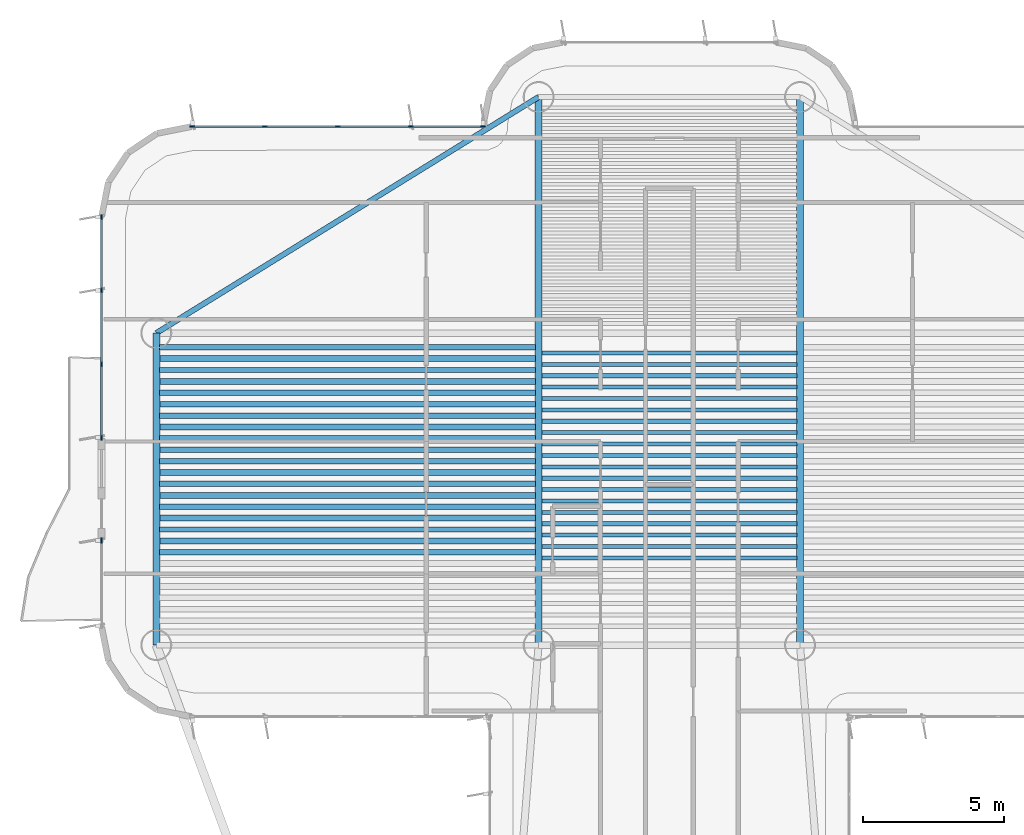
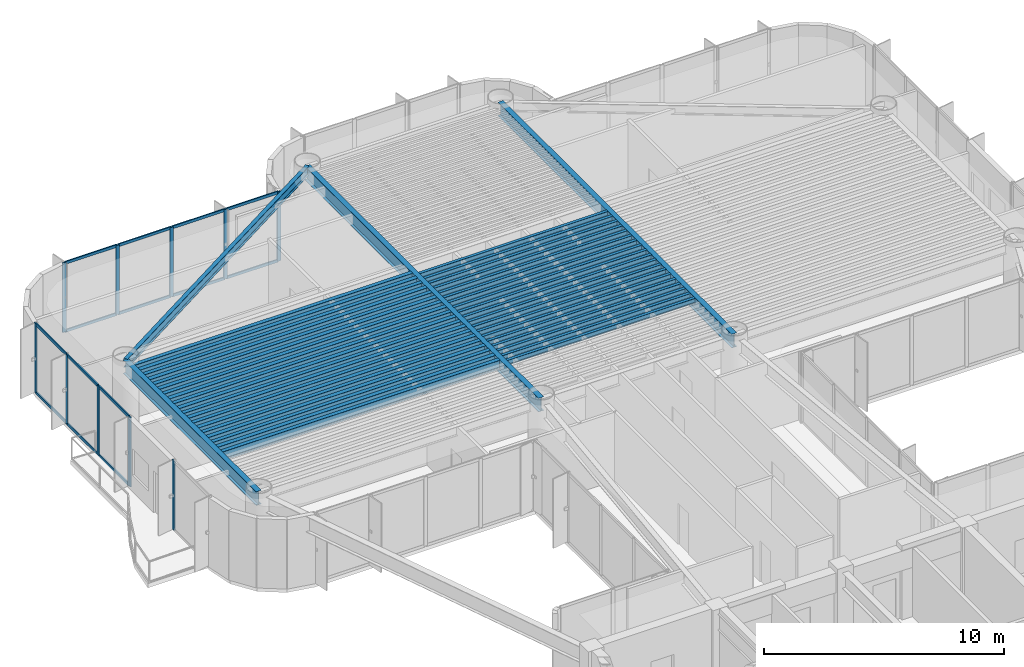
# One storey, part 5 of 14: 42 beams, 24 members, 3 elements without a shape of their own.
"""IFC4 building model written with IfcOpenShell, lengths in metres."""

from ifc_helpers import new_model, si_unit, direction, frame, origin, origin_2d, place, context, subcontext, project, spatial, rectangle, i_section, extrude, source, transform, mapped, material, layer, layer_set, material_profile, profile_set, type_object, element, aggregate, save


model = new_model("IFC4")

# Units and contexts
model_context = context("Model", 3, precision=1e-05, world=origin(), true_north=direction((0.0, 1.0)))
body_context = subcontext(model_context, "Body", "Model", "MODEL_VIEW")
ifc_project = project(units=[si_unit("LENGTHUNIT", "METRE"), si_unit("AREAUNIT", "SQUARE_METRE"), si_unit("VOLUMEUNIT", "CUBIC_METRE"), si_unit("PLANEANGLEUNIT", "RADIAN"), si_unit("MASSUNIT", "GRAM", prefix="KILO")], contexts=[model_context])

# Site, building, storey
site_placement = place(None, origin())
site = spatial("IfcSite", under=ifc_project, at=site_placement, CompositionType="ELEMENT")
building_placement = place(site_placement, origin())
building = spatial("IfcBuilding", under=site, at=building_placement, Name="Brelvock Crest Care Tower", CompositionType="ELEMENT")
storey_placement = place(building_placement, frame((0.0, 0.0, 201.780029296875)))
storey = spatial("IfcBuildingStorey", under=building, at=storey_placement, Name="L51", CompositionType="ELEMENT", Elevation=201.780029296875)

# Beams
ifc_material_1 = material(Name="Steel Grade 350", Category="steel")
ifc_material_profile_1 = material_profile(ifc_material_1, i_section(OverallWidth=0.14599609375, OverallDepth=0.256103515625, WebThickness=0.00634765625, FlangeThickness=0.010986328125, FilletRadius=0.0087890625, at=origin_2d()), Name="250UB37.3")
ifc_profile_set_1 = profile_set([ifc_material_profile_1], Name="Steel Grade 350")
beam_type_1 = type_object("IfcBeamType", Name="BM-J3", PredefinedType="JOIST", material=ifc_profile_set_1)
shared_shape_1 = source(origin(), body_context, "Body", "SweptSolid", [
    extrude(i_section(OverallWidth=0.14599609375, OverallDepth=0.256103515625, WebThickness=0.00634765625, FlangeThickness=0.010986328125, FilletRadius=0.0087890625, at=origin_2d()), origin(), (0.0, 0.0, 1.0), 9.06982421875),
])
for number, where, z_axis, x_axis, name in (
    (1, (31.465087890625, 38.0498046875, 3.40185546875), (1.0, 0.0, 0.0), (0.0, 1.0, 0.0), "BM-JH-L51-7"),
    (2, (31.465087890625, 38.454833984375, 3.40185546875), (1.0, 0.0, 0.0), (0.0, 1.0, 0.0), "BM-JH-L51-8"),
    (3, (31.465087890625, 38.860107421875, 3.40185546875), (1.0, 0.0, 0.0), (0.0, 1.0, 0.0), "BM-JH-L51-9"),
    (4, (31.465087890625, 39.26513671875, 3.40185546875), (1.0, 0.0, 0.0), (0.0, 1.0, 0.0), "BM-JH-L51-10"),
    (5, (31.465087890625, 39.67041015625, 3.40185546875), (1.0, 0.0, 0.0), (0.0, 1.0, 0.0), "BM-JH-L51-11"),
    (6, (31.465087890625, 40.075439453125, 3.40185546875), (1.0, 0.0, 0.0), (0.0, 1.0, 0.0), "BM-JH-L51-12"),
    (7, (31.465087890625, 40.480712890625, 3.40185546875), (1.0, 0.0, 0.0), (0.0, 1.0, 0.0), "BM-JH-L51-13"),
    (8, (31.465087890625, 40.8857421875, 3.40185546875), (1.0, 0.0, 0.0), (0.0, 1.0, 0.0), "BM-JH-L51-14"),
    (9, (31.465087890625, 41.291015625, 3.40185546875), (1.0, 0.0, 0.0), (0.0, 1.0, 0.0), "BM-JH-L51-15"),
    (10, (31.465087890625, 41.696044921875, 3.40185546875), (1.0, 0.0, 0.0), (0.0, 1.0, 0.0), "BM-JH-L51-16"),
    (11, (31.465087890625, 42.101318359375, 3.40185546875), (1.0, 0.0, 0.0), (0.0, 1.0, 0.0), "BM-JH-L51-17"),
    (12, (31.465087890625, 42.50634765625, 3.40185546875), (1.0, 0.0, 0.0), (0.0, 1.0, 0.0), "BM-JH-L51-18"),
    (13, (31.465087890625, 42.91162109375, 3.40185546875), (1.0, 0.0, 0.0), (0.0, 1.0, 0.0), "BM-JH-L51-19"),
    (14, (31.465087890625, 43.316650390625, 3.40185546875), (1.0, 0.0, 0.0), (0.0, 1.0, 0.0), "BM-JH-L51-20"),
    (15, (31.465087890625, 43.7216796875, 3.40185546875), (1.0, 0.0, 0.0), (0.0, 1.0, 0.0), "BM-JH-L51-21"),
    (16, (31.465087890625, 44.126953125, 3.40185546875), (1.0, 0.0, 0.0), (0.0, 1.0, 0.0), "BM-JH-L51-22"),
    (17, (31.465087890625, 44.531982421875, 3.40185546875), (1.0, 0.0, 0.0), (0.0, 1.0, 0.0), "BM-JH-L51-23"),
    (18, (31.465087890625, 44.937255859375, 3.40185546875), (1.0, 0.0, 0.0), (0.0, 1.0, 0.0), "BM-JH-L51-24"),
    (19, (31.465087890625, 45.34228515625, 3.40185546875), (1.0, 0.0, 0.0), (0.0, 1.0, 0.0), "BM-JH-L51-25"),
):
    element("IfcBeam", number, at=place(storey_placement, frame(where, z_axis=z_axis, x_axis=x_axis)), inside=storey, type_object=beam_type_1, Name=name, PredefinedType="JOIST", context=body_context, shape_type="MappedRepresentation", body=[
        mapped(shared_shape_1, transform((0.0, 0.0, 0.0), x_axis=(1.0, 0.0, 0.0), y_axis=(0.0, 1.0, 0.0), z_axis=(0.0, 0.0, 1.0), scale=1.0)),
    ])
ifc_material_profile_2 = material_profile(ifc_material_1, i_section(OverallWidth=0.208984375, OverallDepth=0.532958984375, WebThickness=0.01025390625, FlangeThickness=0.015625, FilletRadius=0.013916015625, at=origin_2d()), Name="530UB92.4")
ifc_profile_set_2 = profile_set([ifc_material_profile_2], Name="Steel Grade 350")
beam_type_2 = type_object("IfcBeamType", Name="BM-G2", PredefinedType="BEAM", material=ifc_profile_set_2)
shared_shape_2 = source(origin(), body_context, "Body", "SweptSolid", [
    extrude(i_section(OverallWidth=0.208984375, OverallDepth=0.532958984375, WebThickness=0.01025390625, FlangeThickness=0.015625, FilletRadius=0.013916015625, at=origin_2d()), origin(), (0.0, 0.0, 1.0), 13.3701171875),
])
for number, where, z_axis, x_axis, name in (
    (20, (17.864990234375, 38.657470703125, 3.263427734375), (1.0, 0.0, 0.0), (0.0, 1.0, 0.0), "BM-JW-L51-9"),
    (21, (17.864990234375, 39.4677734375, 3.263427734375), (1.0, 0.0, 0.0), (0.0, 1.0, 0.0), "BM-JW-L51-11"),
    (22, (17.864990234375, 40.278076171875, 3.263427734375), (1.0, 0.0, 0.0), (0.0, 1.0, 0.0), "BM-JW-L51-13"),
    (23, (17.864990234375, 41.08837890625, 3.263427734375), (1.0, 0.0, 0.0), (0.0, 1.0, 0.0), "BM-JW-L51-15"),
    (24, (17.864990234375, 41.898681640625, 3.263427734375), (1.0, 0.0, 0.0), (0.0, 1.0, 0.0), "BM-JW-L51-17"),
    (25, (17.864990234375, 42.708984375, 3.263427734375), (1.0, 0.0, 0.0), (0.0, 1.0, 0.0), "BM-JW-L51-19"),
    (26, (17.864990234375, 43.519287109375, 3.263427734375), (1.0, 0.0, 0.0), (0.0, 1.0, 0.0), "BM-JW-L51-21"),
    (27, (17.864990234375, 44.32958984375, 3.263427734375), (1.0, 0.0, 0.0), (0.0, 1.0, 0.0), "BM-JW-L51-23"),
    (28, (17.864990234375, 45.139892578125, 3.263427734375), (1.0, 0.0, 0.0), (0.0, 1.0, 0.0), "BM-JW-L51-25"),
):
    element("IfcBeam", number, at=place(storey_placement, frame(where, z_axis=z_axis, x_axis=x_axis)), inside=storey, type_object=beam_type_2, Name=name, PredefinedType="BEAM", context=body_context, shape_type="MappedRepresentation", body=[
        mapped(shared_shape_2, transform((0.0, 0.0, 0.0), x_axis=(1.0, 0.0, 0.0), y_axis=(0.0, 1.0, 0.0), z_axis=(0.0, 0.0, 1.0), scale=1.0)),
    ])
ifc_material_profile_3 = material_profile(ifc_material_1, i_section(OverallWidth=0.19091796875, OverallDepth=0.4599609375, WebThickness=0.010009765625, FlangeThickness=0.01611328125, FilletRadius=0.011474609375, at=origin_2d()), Name="460UB82.1")
ifc_profile_set_3 = profile_set([ifc_material_profile_3], Name="Steel Grade 350")
beam_type_3 = type_object("IfcBeamType", Name="BM-G3", PredefinedType="BEAM", material=ifc_profile_set_3)
shared_shape_3 = source(origin(), body_context, "Body", "SweptSolid", [
    extrude(i_section(OverallWidth=0.19091796875, OverallDepth=0.4599609375, WebThickness=0.010009765625, FlangeThickness=0.01611328125, FilletRadius=0.011474609375, at=origin_2d()), origin(), (0.0, 0.0, 1.0), 13.3701171875),
])
for number, where, z_axis, x_axis, name in (
    (29, (17.864990234375, 38.252197265625, 3.300048828125), (1.0, 0.0, 0.0), (0.0, 1.0, 0.0), "BM-JW-L51-8"),
    (30, (17.864990234375, 39.0625, 3.300048828125), (1.0, 0.0, 0.0), (0.0, 1.0, 0.0), "BM-JW-L51-10"),
    (31, (17.864990234375, 39.872802734375, 3.300048828125), (1.0, 0.0, 0.0), (0.0, 1.0, 0.0), "BM-JW-L51-12"),
    (32, (17.864990234375, 40.68310546875, 3.300048828125), (1.0, 0.0, 0.0), (0.0, 1.0, 0.0), "BM-JW-L51-14"),
    (33, (17.864990234375, 41.493408203125, 3.300048828125), (1.0, 0.0, 0.0), (0.0, 1.0, 0.0), "BM-JW-L51-16"),
    (34, (17.864990234375, 42.3037109375, 3.300048828125), (1.0, 0.0, 0.0), (0.0, 1.0, 0.0), "BM-JW-L51-18"),
    (35, (17.864990234375, 43.114013671875, 3.300048828125), (1.0, 0.0, 0.0), (0.0, 1.0, 0.0), "BM-JW-L51-20"),
    (36, (17.864990234375, 43.92431640625, 3.300048828125), (1.0, 0.0, 0.0), (0.0, 1.0, 0.0), "BM-JW-L51-22"),
    (37, (17.864990234375, 44.734619140625, 3.300048828125), (1.0, 0.0, 0.0), (0.0, 1.0, 0.0), "BM-JW-L51-24"),
    (38, (17.864990234375, 45.544921875, 3.300048828125), (1.0, 0.0, 0.0), (0.0, 1.0, 0.0), "BM-JW-L51-26"),
):
    element("IfcBeam", number, at=place(storey_placement, frame(where, z_axis=z_axis, x_axis=x_axis)), inside=storey, type_object=beam_type_3, Name=name, PredefinedType="BEAM", context=body_context, shape_type="MappedRepresentation", body=[
        mapped(shared_shape_3, transform((0.0, 0.0, 0.0), x_axis=(1.0, 0.0, 0.0), y_axis=(0.0, 1.0, 0.0), z_axis=(0.0, 0.0, 1.0), scale=1.0)),
    ])
ifc_material_profile_4 = material_profile(ifc_material_1, i_section(OverallWidth=0.25, OverallDepth=0.699951171875, WebThickness=0.011962890625, FlangeThickness=0.02001953125, at=origin_2d()), Name="700WB150")
ifc_profile_set_4 = profile_set([ifc_material_profile_4], Name="Steel Grade 350")
beam_type_4 = type_object("IfcBeamType", Name="BM-G4", PredefinedType="BEAM", material=ifc_profile_set_4)
shared_shape_4 = source(origin(), body_context, "Body", "SweptSolid", [
    extrude(i_section(OverallWidth=0.25, OverallDepth=0.699951171875, WebThickness=0.011962890625, FlangeThickness=0.02001953125, at=origin_2d()), origin(), (0.0, 0.0, 1.0), 11.10009765625),
])
beam_1_placement = place(storey_placement, frame((17.75, 34.949951171875, 3.179931640625), z_axis=(0.0, 1.0, 0.0), x_axis=(-1.0, 0.0, 0.0)))
element("IfcBeam", 39, at=beam_1_placement, inside=storey, type_object=beam_type_4, Name="BM-TWR-L51-01", PredefinedType="BEAM", context=body_context, shape_type="MappedRepresentation", body=[
    mapped(shared_shape_4, transform((0.0, 0.0, 0.0), x_axis=(1.0, 0.0, 0.0), y_axis=(0.0, 1.0, 0.0), z_axis=(0.0, 0.0, 1.0), scale=1.0)),
])
ifc_material_profile_5 = material_profile(ifc_material_1, i_section(OverallWidth=0.19091796875, OverallDepth=0.4599609375, WebThickness=0.010009765625, FlangeThickness=0.01611328125, FilletRadius=0.011474609375, at=origin_2d()), Name="460UB82.1")
ifc_profile_set_5 = profile_set([ifc_material_profile_5], Name="Steel Grade 350")
beam_type_5 = type_object("IfcBeamType", Name="BM-SP2", PredefinedType="SPANDREL", material=ifc_profile_set_5)
shared_shape_5 = source(origin(), body_context, "Body", "SweptSolid", [
    extrude(i_section(OverallWidth=0.19091796875, OverallDepth=0.4599609375, WebThickness=0.010009765625, FlangeThickness=0.01611328125, FilletRadius=0.011474609375, at=origin_2d()), origin(), (0.0, 0.0, 1.0), 15.985107421875),
])
beam_2_placement = place(storey_placement, frame((17.75, 46.050048828125, 3.300048828125), z_axis=(0.850802415717, 0.525485727124, 0.0), x_axis=(-0.525485727124, 0.850802415717, 0.0)))
element("IfcBeam", 40, at=beam_2_placement, inside=storey, type_object=beam_type_5, Name="BM-TWR-L51-06", PredefinedType="SPANDREL", context=body_context, shape_type="MappedRepresentation", body=[
    mapped(shared_shape_5, transform((0.0, 0.0, 0.0), x_axis=(1.0, 0.0, 0.0), y_axis=(0.0, 1.0, 0.0), z_axis=(0.0, 0.0, 1.0), scale=1.0)),
])
shared_shape_6 = source(origin(), body_context, "Body", "SweptSolid", [
    extrude(i_section(OverallWidth=0.25, OverallDepth=0.699951171875, WebThickness=0.011962890625, FlangeThickness=0.02001953125, at=origin_2d()), origin(), (0.0, 0.0, 1.0), 19.5),
])
for number, where, z_axis, x_axis, name in (
    (41, (31.35009765625, 34.949951171875, 3.179931640625), (0.0, 1.0, 0.0), (-1.0, 0.0, 0.0), "BM-TWR-L51-09"),
    (42, (40.64990234375, 34.949951171875, 3.179931640625), (0.0, 1.0, 0.0), (-1.0, 0.0, 0.0), "BM-TWR-L51-10"),
):
    element("IfcBeam", number, at=place(storey_placement, frame(where, z_axis=z_axis, x_axis=x_axis)), inside=storey, type_object=beam_type_4, Name=name, PredefinedType="BEAM", context=body_context, shape_type="MappedRepresentation", body=[
        mapped(shared_shape_6, transform((0.0, 0.0, 0.0), x_axis=(1.0, 0.0, 0.0), y_axis=(0.0, 1.0, 0.0), z_axis=(0.0, 0.0, 1.0), scale=1.0)),
    ])

# Curtain wall, member
ifc_material_2 = material(Name="Dark Glass Double Glazed Low-E", Category="glass")
ifc_layer = layer(ifc_material_2, 0.22509765625, Name="CWS-4")
ifc_layer_set = layer_set([ifc_layer], Name="Dark Glass Double Glazed Low-E")
curtain_wall_type = type_object("IfcCurtainWallType", Name="CWS-4", PredefinedType="NOTDEFINED", material=ifc_layer_set)
curtain_wall_1_placement = place(storey_placement, origin())
curtain_wall_1 = element("IfcCurtainWall", 43, at=curtain_wall_1_placement, inside=storey, type_object=curtain_wall_type, Name="L51 Curtain Wall E17A", PredefinedType="NOTDEFINED")
ifc_material_3 = material(Name="Aluminium 6063-T6", Category="aluminium")
ifc_material_profile_6 = material_profile(ifc_material_3, rectangle(XDim=0.06005859375, YDim=0.179931640625, at=origin_2d()), Name="ALU60x180")
ifc_profile_set_6 = profile_set([ifc_material_profile_6], Name="Aluminium 6063-T6")
member_type_1 = type_object("IfcMemberType", Name="CWM-2", PredefinedType="MULLION", material=ifc_profile_set_6)
shared_shape_7 = source(origin(), body_context, "Body", "SweptSolid", [
    extrude(rectangle(XDim=0.06005859375, YDim=0.179931640625, at=origin_2d()), origin(), (0.0, 0.0, 1.0), 3.530029296875),
])
member_1_placement = place(storey_placement, frame((15.800048828125, 38.669921875, 0.0), z_axis=(0.0, 0.0, 1.0), x_axis=(-1.0, 0.0, 0.0)))
member_1 = element("IfcMember", 44, at=member_1_placement, type_object=member_type_1, Name="CW-4 mullion 2", PredefinedType="MULLION", context=body_context, shape_type="MappedRepresentation", body=[
    mapped(shared_shape_7, transform((0.0, 0.0, 0.0), x_axis=(1.0, 0.0, 0.0), y_axis=(0.0, 1.0, 0.0), z_axis=(0.0, 0.0, 1.0), scale=1.0)),
])
aggregate(curtain_wall_1, [member_1])

# Curtain wall, members
curtain_wall_2_placement = place(storey_placement, origin())
curtain_wall_2 = element("IfcCurtainWall", 45, at=curtain_wall_2_placement, inside=storey, type_object=curtain_wall_type, Name="L51 Curtain Wall E17B", PredefinedType="NOTDEFINED")
member_2_placement = place(storey_placement, frame((15.800048828125, 42.330078125, 0.0), z_axis=(0.0, 0.0, 1.0), x_axis=(-1.0, 0.0, 0.0)))
member_2 = element("IfcMember", 46, at=member_2_placement, type_object=member_type_1, Name="CW-4 mullion 1", PredefinedType="MULLION", context=body_context, shape_type="MappedRepresentation", body=[
    mapped(shared_shape_7, transform((0.0, 0.0, 0.0), x_axis=(1.0, 0.0, 0.0), y_axis=(0.0, 1.0, 0.0), z_axis=(0.0, 0.0, 1.0), scale=1.0)),
])
member_3_placement = place(storey_placement, frame((15.800048828125, 44.933349609375, 0.0), z_axis=(0.0, 0.0, 1.0), x_axis=(-1.0, 0.0, 0.0)))
member_3 = element("IfcMember", 47, at=member_3_placement, type_object=member_type_1, Name="CW-4 mullion 2", PredefinedType="MULLION", context=body_context, shape_type="MappedRepresentation", body=[
    mapped(shared_shape_7, transform((0.0, 0.0, 0.0), x_axis=(1.0, 0.0, 0.0), y_axis=(0.0, 1.0, 0.0), z_axis=(0.0, 0.0, 1.0), scale=1.0)),
])
member_4_placement = place(storey_placement, frame((15.800048828125, 47.566650390625, 0.0), z_axis=(0.0, 0.0, 1.0), x_axis=(-1.0, 0.0, 0.0)))
member_4 = element("IfcMember", 48, at=member_4_placement, type_object=member_type_1, Name="CW-4 mullion 3", PredefinedType="MULLION", context=body_context, shape_type="MappedRepresentation", body=[
    mapped(shared_shape_7, transform((0.0, 0.0, 0.0), x_axis=(1.0, 0.0, 0.0), y_axis=(0.0, 1.0, 0.0), z_axis=(0.0, 0.0, 1.0), scale=1.0)),
])
member_5_placement = place(storey_placement, frame((15.800048828125, 50.169921875, 0.0), z_axis=(0.0, 0.0, 1.0), x_axis=(-1.0, 0.0, 0.0)))
member_5 = element("IfcMember", 49, at=member_5_placement, type_object=member_type_1, Name="CW-4 mullion 4", PredefinedType="MULLION", context=body_context, shape_type="MappedRepresentation", body=[
    mapped(shared_shape_7, transform((0.0, 0.0, 0.0), x_axis=(1.0, 0.0, 0.0), y_axis=(0.0, 1.0, 0.0), z_axis=(0.0, 0.0, 1.0), scale=1.0)),
])

curtain_wall_3_placement = place(storey_placement, origin())
curtain_wall_3 = element("IfcCurtainWall", 50, at=curtain_wall_3_placement, inside=storey, type_object=curtain_wall_type, Name="L51 Curtain Wall E22", PredefinedType="NOTDEFINED")
member_6_placement = place(storey_placement, frame((19.030029296875, 53.39990234375, 0.0), z_axis=(0.0, 0.0, 1.0), x_axis=(0.0, 1.0, 0.0)))
member_6 = element("IfcMember", 51, at=member_6_placement, type_object=member_type_1, Name="CW-4 mullion 1", PredefinedType="MULLION", context=body_context, shape_type="MappedRepresentation", body=[
    mapped(shared_shape_7, transform((0.0, 0.0, 0.0), x_axis=(1.0, 0.0, 0.0), y_axis=(0.0, 1.0, 0.0), z_axis=(0.0, 0.0, 1.0), scale=1.0)),
])
member_7_placement = place(storey_placement, frame((21.60009765625, 53.39990234375, 0.0), z_axis=(0.0, 0.0, 1.0), x_axis=(0.0, 1.0, 0.0)))
member_7 = element("IfcMember", 52, at=member_7_placement, type_object=member_type_1, Name="CW-4 mullion 2", PredefinedType="MULLION", context=body_context, shape_type="MappedRepresentation", body=[
    mapped(shared_shape_7, transform((0.0, 0.0, 0.0), x_axis=(1.0, 0.0, 0.0), y_axis=(0.0, 1.0, 0.0), z_axis=(0.0, 0.0, 1.0), scale=1.0)),
])
member_8_placement = place(storey_placement, frame((24.199951171875, 53.39990234375, 0.0), z_axis=(0.0, 0.0, 1.0), x_axis=(0.0, 1.0, 0.0)))
member_8 = element("IfcMember", 53, at=member_8_placement, type_object=member_type_1, Name="CW-4 mullion 3", PredefinedType="MULLION", context=body_context, shape_type="MappedRepresentation", body=[
    mapped(shared_shape_7, transform((0.0, 0.0, 0.0), x_axis=(1.0, 0.0, 0.0), y_axis=(0.0, 1.0, 0.0), z_axis=(0.0, 0.0, 1.0), scale=1.0)),
])
member_9_placement = place(storey_placement, frame((26.800048828125, 53.39990234375, 0.0), z_axis=(0.0, 0.0, 1.0), x_axis=(0.0, 1.0, 0.0)))
member_9 = element("IfcMember", 54, at=member_9_placement, type_object=member_type_1, Name="CW-4 mullion 4", PredefinedType="MULLION", context=body_context, shape_type="MappedRepresentation", body=[
    mapped(shared_shape_7, transform((0.0, 0.0, 0.0), x_axis=(1.0, 0.0, 0.0), y_axis=(0.0, 1.0, 0.0), z_axis=(0.0, 0.0, 1.0), scale=1.0)),
])
member_10_placement = place(storey_placement, frame((29.3701171875, 53.39990234375, 0.0), z_axis=(0.0, 0.0, 1.0), x_axis=(0.0, 1.0, 0.0)))
member_10 = element("IfcMember", 55, at=member_10_placement, type_object=member_type_1, Name="CW-4 mullion 5", PredefinedType="MULLION", context=body_context, shape_type="MappedRepresentation", body=[
    mapped(shared_shape_7, transform((0.0, 0.0, 0.0), x_axis=(1.0, 0.0, 0.0), y_axis=(0.0, 1.0, 0.0), z_axis=(0.0, 0.0, 1.0), scale=1.0)),
])
ifc_material_profile_7 = material_profile(ifc_material_3, rectangle(XDim=0.06005859375, YDim=0.139892578125, at=origin_2d()), Name="ALU60x140")
ifc_profile_set_7 = profile_set([ifc_material_profile_7], Name="Aluminium 6063-T6")
member_type_2 = type_object("IfcMemberType", Name="CWT-2", PredefinedType="USERDEFINED", material=ifc_profile_set_7)
shared_shape_8 = source(origin(), body_context, "Body", "SweptSolid", [
    extrude(rectangle(XDim=0.06005859375, YDim=0.139892578125, at=origin_2d()), origin(), (0.0, 0.0, 1.0), 2.510009765625),
])
member_11_placement = place(storey_placement, frame((19.06005859375, 53.39990234375, 0.030029296875), z_axis=(1.0, 0.0, 0.0), x_axis=(0.0, 1.0, 0.0)))
member_11 = element("IfcMember", 56, at=member_11_placement, type_object=member_type_2, Name="CW-4 transom 1.1", ObjectType="TRANSOM", PredefinedType="USERDEFINED", context=body_context, shape_type="MappedRepresentation", body=[
    mapped(shared_shape_8, transform((0.0, 0.0, 0.0), x_axis=(1.0, 0.0, 0.0), y_axis=(0.0, 1.0, 0.0), z_axis=(0.0, 0.0, 1.0), scale=1.0)),
])
member_12_placement = place(storey_placement, frame((19.06005859375, 53.39990234375, 3.5), z_axis=(1.0, 0.0, 0.0), x_axis=(0.0, 1.0, 0.0)))
member_12 = element("IfcMember", 57, at=member_12_placement, type_object=member_type_2, Name="CW-4 transom 1.2", ObjectType="TRANSOM", PredefinedType="USERDEFINED", context=body_context, shape_type="MappedRepresentation", body=[
    mapped(shared_shape_8, transform((0.0, 0.0, 0.0), x_axis=(1.0, 0.0, 0.0), y_axis=(0.0, 1.0, 0.0), z_axis=(0.0, 0.0, 1.0), scale=1.0)),
])
member_13_placement = place(storey_placement, frame((26.830078125, 53.39990234375, 0.030029296875), z_axis=(1.0, 0.0, 0.0), x_axis=(0.0, 1.0, 0.0)))
member_13 = element("IfcMember", 58, at=member_13_placement, type_object=member_type_2, Name="CW-4 transom 4.1", ObjectType="TRANSOM", PredefinedType="USERDEFINED", context=body_context, shape_type="MappedRepresentation", body=[
    mapped(shared_shape_8, transform((0.0, 0.0, 0.0), x_axis=(1.0, 0.0, 0.0), y_axis=(0.0, 1.0, 0.0), z_axis=(0.0, 0.0, 1.0), scale=1.0)),
])
member_14_placement = place(storey_placement, frame((26.830078125, 53.39990234375, 3.5), z_axis=(1.0, 0.0, 0.0), x_axis=(0.0, 1.0, 0.0)))
member_14 = element("IfcMember", 59, at=member_14_placement, type_object=member_type_2, Name="CW-4 transom 4.2", ObjectType="TRANSOM", PredefinedType="USERDEFINED", context=body_context, shape_type="MappedRepresentation", body=[
    mapped(shared_shape_8, transform((0.0, 0.0, 0.0), x_axis=(1.0, 0.0, 0.0), y_axis=(0.0, 1.0, 0.0), z_axis=(0.0, 0.0, 1.0), scale=1.0)),
])
shared_shape_9 = source(origin(), body_context, "Body", "SweptSolid", [
    extrude(rectangle(XDim=0.06005859375, YDim=0.139892578125, at=origin_2d()), origin(), (0.0, 0.0, 1.0), 2.5400390625),
])
member_15_placement = place(storey_placement, frame((21.6298828125, 53.39990234375, 0.030029296875), z_axis=(1.0, 0.0, 0.0), x_axis=(0.0, 1.0, 0.0)))
member_15 = element("IfcMember", 60, at=member_15_placement, type_object=member_type_2, Name="CW-4 transom 2.1", ObjectType="TRANSOM", PredefinedType="USERDEFINED", context=body_context, shape_type="MappedRepresentation", body=[
    mapped(shared_shape_9, transform((0.0, 0.0, 0.0), x_axis=(1.0, 0.0, 0.0), y_axis=(0.0, 1.0, 0.0), z_axis=(0.0, 0.0, 1.0), scale=1.0)),
])
member_16_placement = place(storey_placement, frame((21.6298828125, 53.39990234375, 3.5), z_axis=(1.0, 0.0, 0.0), x_axis=(0.0, 1.0, 0.0)))
member_16 = element("IfcMember", 61, at=member_16_placement, type_object=member_type_2, Name="CW-4 transom 2.2", ObjectType="TRANSOM", PredefinedType="USERDEFINED", context=body_context, shape_type="MappedRepresentation", body=[
    mapped(shared_shape_9, transform((0.0, 0.0, 0.0), x_axis=(1.0, 0.0, 0.0), y_axis=(0.0, 1.0, 0.0), z_axis=(0.0, 0.0, 1.0), scale=1.0)),
])
member_17_placement = place(storey_placement, frame((24.22998046875, 53.39990234375, 0.030029296875), z_axis=(1.0, 0.0, 0.0), x_axis=(0.0, 1.0, 0.0)))
member_17 = element("IfcMember", 62, at=member_17_placement, type_object=member_type_2, Name="CW-4 transom 3.1", ObjectType="TRANSOM", PredefinedType="USERDEFINED", context=body_context, shape_type="MappedRepresentation", body=[
    mapped(shared_shape_9, transform((0.0, 0.0, 0.0), x_axis=(1.0, 0.0, 0.0), y_axis=(0.0, 1.0, 0.0), z_axis=(0.0, 0.0, 1.0), scale=1.0)),
])
member_18_placement = place(storey_placement, frame((24.22998046875, 53.39990234375, 3.5), z_axis=(1.0, 0.0, 0.0), x_axis=(0.0, 1.0, 0.0)))
member_18 = element("IfcMember", 63, at=member_18_placement, type_object=member_type_2, Name="CW-4 transom 3.2", ObjectType="TRANSOM", PredefinedType="USERDEFINED", context=body_context, shape_type="MappedRepresentation", body=[
    mapped(shared_shape_9, transform((0.0, 0.0, 0.0), x_axis=(1.0, 0.0, 0.0), y_axis=(0.0, 1.0, 0.0), z_axis=(0.0, 0.0, 1.0), scale=1.0)),
])
aggregate(curtain_wall_3, [member_6, member_7, member_8, member_9, member_10, member_11, member_12, member_15, member_16, member_17, member_18, member_13, member_14])

# Member
shared_shape_10 = source(origin(), body_context, "Body", "SweptSolid", [
    extrude(rectangle(XDim=0.06005859375, YDim=0.139892578125, at=origin_2d()), origin(), (0.0, 0.0, 1.0), 2.543212890625),
])
member_19_placement = place(storey_placement, frame((15.800048828125, 42.360107421875, 0.030029296875), z_axis=(0.0, 1.0, 0.0), x_axis=(-1.0, 0.0, 0.0)))
member_19 = element("IfcMember", 64, at=member_19_placement, type_object=member_type_2, Name="CW-4 transom 1.1", ObjectType="TRANSOM", PredefinedType="USERDEFINED", context=body_context, shape_type="MappedRepresentation", body=[
    mapped(shared_shape_10, transform((0.0, 0.0, 0.0), x_axis=(1.0, 0.0, 0.0), y_axis=(0.0, 1.0, 0.0), z_axis=(0.0, 0.0, 1.0), scale=1.0)),
])

member_20_placement = place(storey_placement, frame((15.800048828125, 42.360107421875, 3.5), z_axis=(0.0, 1.0, 0.0), x_axis=(-1.0, 0.0, 0.0)))
member_20 = element("IfcMember", 65, at=member_20_placement, type_object=member_type_2, Name="CW-4 transom 1.2", ObjectType="TRANSOM", PredefinedType="USERDEFINED", context=body_context, shape_type="MappedRepresentation", body=[
    mapped(shared_shape_10, transform((0.0, 0.0, 0.0), x_axis=(1.0, 0.0, 0.0), y_axis=(0.0, 1.0, 0.0), z_axis=(0.0, 0.0, 1.0), scale=1.0)),
])

member_21_placement = place(storey_placement, frame((15.800048828125, 47.5966796875, 0.030029296875), z_axis=(0.0, 1.0, 0.0), x_axis=(-1.0, 0.0, 0.0)))
member_21 = element("IfcMember", 66, at=member_21_placement, type_object=member_type_2, Name="CW-4 transom 3.1", ObjectType="TRANSOM", PredefinedType="USERDEFINED", context=body_context, shape_type="MappedRepresentation", body=[
    mapped(shared_shape_10, transform((0.0, 0.0, 0.0), x_axis=(1.0, 0.0, 0.0), y_axis=(0.0, 1.0, 0.0), z_axis=(0.0, 0.0, 1.0), scale=1.0)),
])

member_22_placement = place(storey_placement, frame((15.800048828125, 47.5966796875, 3.5), z_axis=(0.0, 1.0, 0.0), x_axis=(-1.0, 0.0, 0.0)))
member_22 = element("IfcMember", 67, at=member_22_placement, type_object=member_type_2, Name="CW-4 transom 3.2", ObjectType="TRANSOM", PredefinedType="USERDEFINED", context=body_context, shape_type="MappedRepresentation", body=[
    mapped(shared_shape_10, transform((0.0, 0.0, 0.0), x_axis=(1.0, 0.0, 0.0), y_axis=(0.0, 1.0, 0.0), z_axis=(0.0, 0.0, 1.0), scale=1.0)),
])

shared_shape_11 = source(origin(), body_context, "Body", "SweptSolid", [
    extrude(rectangle(XDim=0.06005859375, YDim=0.139892578125, at=origin_2d()), origin(), (0.0, 0.0, 1.0), 2.5732421875),
])
member_23_placement = place(storey_placement, frame((15.800048828125, 44.96337890625, 0.030029296875), z_axis=(0.0, 1.0, 0.0), x_axis=(-1.0, 0.0, 0.0)))
member_23 = element("IfcMember", 68, at=member_23_placement, type_object=member_type_2, Name="CW-4 transom 2.1", ObjectType="TRANSOM", PredefinedType="USERDEFINED", context=body_context, shape_type="MappedRepresentation", body=[
    mapped(shared_shape_11, transform((0.0, 0.0, 0.0), x_axis=(1.0, 0.0, 0.0), y_axis=(0.0, 1.0, 0.0), z_axis=(0.0, 0.0, 1.0), scale=1.0)),
])

member_24_placement = place(storey_placement, frame((15.800048828125, 44.96337890625, 3.5), z_axis=(0.0, 1.0, 0.0), x_axis=(-1.0, 0.0, 0.0)))
member_24 = element("IfcMember", 69, at=member_24_placement, type_object=member_type_2, Name="CW-4 transom 2.2", ObjectType="TRANSOM", PredefinedType="USERDEFINED", context=body_context, shape_type="MappedRepresentation", body=[
    mapped(shared_shape_11, transform((0.0, 0.0, 0.0), x_axis=(1.0, 0.0, 0.0), y_axis=(0.0, 1.0, 0.0), z_axis=(0.0, 0.0, 1.0), scale=1.0)),
])

aggregate(curtain_wall_2, [member_2, member_3, member_4, member_5, member_19, member_20, member_23, member_24, member_21, member_22])

save(model, "model.ifc")
